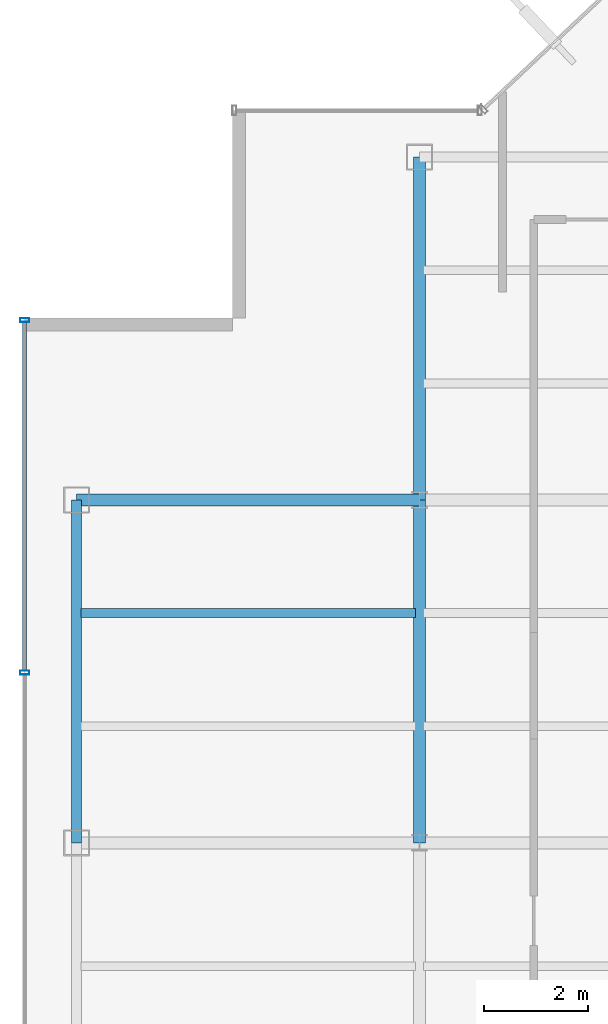
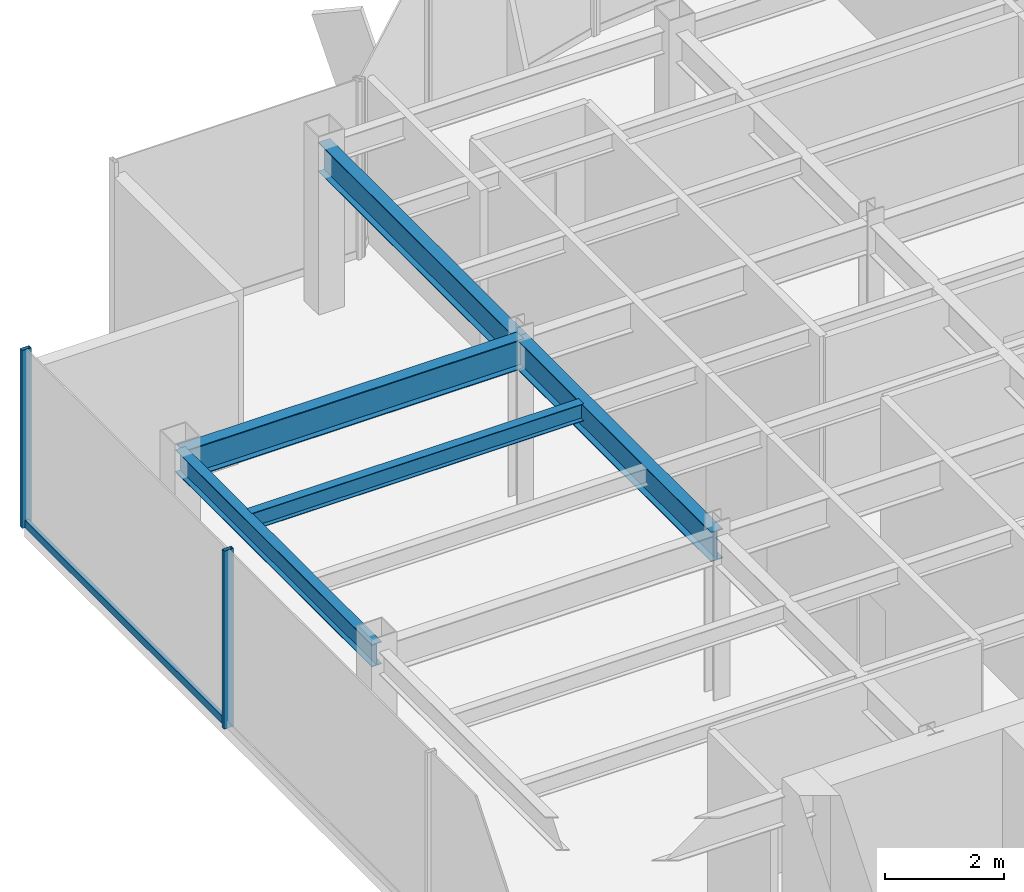
# One storey, part 7 of 22: 5 beams, 3 members, 1 element without a shape of its own.
"""IFC4 building model written with IfcOpenShell, lengths in metres."""

from ifc_helpers import new_model, si_unit, derived_unit, direction, frame, origin, origin_2d, place, context, subcontext, project, spatial, hollow_rectangle, i_section, extrude, source, transform, mapped, material, material_profile, profile_set, type_object, element, aggregate, save


model = new_model("IFC4")

# Units and contexts
model_context = context("Model", 3, precision=1e-05, world=origin(), true_north=direction((0.0, 1.0)))
body_context = subcontext(model_context, "Body", "Model", "MODEL_VIEW")
ifc_project = project(units=[si_unit("LENGTHUNIT", "METRE"), si_unit("AREAUNIT", "SQUARE_METRE"), si_unit("VOLUMEUNIT", "CUBIC_METRE"), si_unit("PLANEANGLEUNIT", "RADIAN"), si_unit("MASSUNIT", "GRAM", prefix="KILO"), derived_unit("THERMALTRANSMITTANCEUNIT", [(si_unit("POWERUNIT", "WATT"), 1), (si_unit("LENGTHUNIT", "METRE"), -2), (si_unit("THERMODYNAMICTEMPERATUREUNIT", "KELVIN"), -1)])], contexts=[model_context])

# Site, building, storey
site_placement = place(None, origin())
site = spatial("IfcSite", under=ifc_project, at=site_placement, CompositionType="ELEMENT")
building_placement = place(site_placement, origin())
building = spatial("IfcBuilding", under=site, at=building_placement, Name="Skarnbrae Concourse Arena and Tower", CompositionType="ELEMENT")
storey_placement = place(building_placement, frame((0.0, 0.0, 232.39990234375)))
storey = spatial("IfcBuildingStorey", under=building, at=storey_placement, Name="L60", CompositionType="ELEMENT", Elevation=232.39990234375)

# Beams
ifc_material_1 = material(Name="Steel CSA G40.21 350W", Category="steel")
ifc_material_profile_1 = material_profile(ifc_material_1, i_section(OverallWidth=0.22802734375, OverallDepth=0.60791015625, WebThickness=0.01123046875, FlangeThickness=0.017333984375, at=origin_2d()), Name="W610X113")
ifc_profile_set_1 = profile_set([ifc_material_profile_1], Name="Steel CSA G40.21 350W")
beam_type_1 = type_object("IfcBeamType", Name="BM-GIRD-W610X113", PredefinedType="BEAM", material=ifc_profile_set_1)
shared_shape_1 = source(origin(), body_context, "Body", "SweptSolid", [
    extrude(i_section(OverallWidth=0.22802734375, OverallDepth=0.60791015625, WebThickness=0.01123046875, FlangeThickness=0.017333984375, at=origin_2d()), origin(), (0.0, 0.0, 1.0), 6.60009765625),
])
for number, where, z_axis, x_axis, name in (
    (1, (1.0, 27.800048828125, 3.046142578125), (1.0, 0.0, 0.0), (0.0, 1.0, 0.0), "L60 Primary E-W girder Y27.8-1"),
    (2, (7.60009765625, 21.199951171875, 3.046142578125), (0.0, 1.0, 0.0), (-1.0, 0.0, 0.0), "L60 Primary N-S girder X7.6-2"),
):
    element("IfcBeam", number, at=place(storey_placement, frame(where, z_axis=z_axis, x_axis=x_axis)), inside=storey, type_object=beam_type_1, Name=name, PredefinedType="BEAM", context=body_context, shape_type="MappedRepresentation", body=[
        mapped(shared_shape_1, transform((0.0, 0.0, 0.0))),
    ])
ifc_material_profile_2 = material_profile(ifc_material_1, i_section(OverallWidth=0.19091796875, OverallDepth=0.4599609375, WebThickness=0.010009765625, FlangeThickness=0.01611328125, at=origin_2d()), Name="W460X82")
ifc_profile_set_2 = profile_set([ifc_material_profile_2], Name="Steel CSA G40.21 350W")
beam_type_2 = type_object("IfcBeamType", Name="BM-SPAN-W460X82", PredefinedType="SPANDREL", material=ifc_profile_set_2)
shared_shape_2 = source(origin(), body_context, "Body", "SweptSolid", [
    extrude(i_section(OverallWidth=0.19091796875, OverallDepth=0.4599609375, WebThickness=0.010009765625, FlangeThickness=0.01611328125, at=origin_2d()), origin(), (0.0, 0.0, 1.0), 6.60009765625),
])
beam_1_placement = place(storey_placement, frame((1.0, 21.199951171875, 3.1201171875), z_axis=(0.0, 1.0, 0.0), x_axis=(-1.0, 0.0, 0.0)))
element("IfcBeam", 3, at=beam_1_placement, inside=storey, type_object=beam_type_2, Name="L60 Perimeter spandrel X1.0-3", PredefinedType="SPANDREL", context=body_context, shape_type="MappedRepresentation", body=[
    mapped(shared_shape_2, transform((0.0, 0.0, 0.0))),
])
shared_shape_3 = source(origin(), body_context, "Body", "SweptSolid", [
    extrude(i_section(OverallWidth=0.22802734375, OverallDepth=0.60791015625, WebThickness=0.01123046875, FlangeThickness=0.017333984375, at=origin_2d()), origin(), (0.0, 0.0, 1.0), 6.599853515625),
])
beam_2_placement = place(storey_placement, frame((7.60009765625, 27.800048828125, 3.046142578125), z_axis=(0.0, 1.0, 0.0), x_axis=(-1.0, 0.0, 0.0)))
element("IfcBeam", 4, at=beam_2_placement, inside=storey, type_object=beam_type_1, Name="L60 Primary N-S girder X7.6-3", PredefinedType="BEAM", context=body_context, shape_type="MappedRepresentation", body=[
    mapped(shared_shape_3, transform((0.0, 0.0, 0.0))),
])
ifc_material_profile_3 = material_profile(ifc_material_1, i_section(OverallWidth=0.1708984375, OverallDepth=0.35498046875, WebThickness=0.007080078125, FlangeThickness=0.01171875, at=origin_2d()), Name="W360X51")
ifc_profile_set_3 = profile_set([ifc_material_profile_3], Name="Steel CSA G40.21 350W")
beam_type_3 = type_object("IfcBeamType", Name="BM-JOIST-W360X51", PredefinedType="JOIST", material=ifc_profile_set_3)
shared_shape_4 = source(origin(), body_context, "Body", "SweptSolid", [
    extrude(i_section(OverallWidth=0.1708984375, OverallDepth=0.35498046875, WebThickness=0.007080078125, FlangeThickness=0.01171875, at=origin_2d()), origin(), (0.0, 0.0, 1.0), 6.43994140625),
])
beam_3_placement = place(storey_placement, frame((1.080078125, 25.6220703125, 3.172607421875), z_axis=(1.0, 0.0, 0.0), x_axis=(0.0, 1.0, 0.0)))
element("IfcBeam", 5, at=beam_3_placement, inside=storey, type_object=beam_type_3, Name="L60 Secondary floor joist 2.2.1", PredefinedType="JOIST", context=body_context, shape_type="MappedRepresentation", body=[
    mapped(shared_shape_4, transform((0.0, 0.0, 0.0))),
])

# Curtain wall, members
ifc_material_2 = material(Name="Bronze anodised aluminium 6063-T6", Category="aluminium")
curtain_wall_type = type_object("IfcCurtainWallType", Name="CW-SYS-05-HIGHZONE", PredefinedType="USERDEFINED", material=ifc_material_2)
curtain_wall_placement = place(storey_placement, origin())
curtain_wall = element("IfcCurtainWall", 6, at=curtain_wall_placement, inside=storey, type_object=curtain_wall_type, Name="L60 Unitised curtain wall CW-L60-E18", ObjectType="UNITISED CURTAIN WALL", PredefinedType="USERDEFINED")
ifc_material_profile_4 = material_profile(ifc_material_2, hollow_rectangle(XDim=0.074951171875, YDim=0.14990234375, WallThickness=0.00390625, at=origin_2d()), Name="ALU-TRAN-75X150")
ifc_profile_set_4 = profile_set([ifc_material_profile_4], Name="Bronze anodised aluminium 6063-T6")
member_type_1 = type_object("IfcMemberType", Name="CWT-CW-05", PredefinedType="USERDEFINED", material=ifc_profile_set_4)
shared_shape_5 = source(origin(), body_context, "Body", "SweptSolid", [
    extrude(hollow_rectangle(XDim=0.074951171875, YDim=0.14990234375, WallThickness=0.00390625, at=origin_2d()), origin(), (0.0, 0.0, 1.0), 6.712646484375),
])
member_1_placement = place(storey_placement, frame((0.0, 31.22509765625, 0.0751953125), z_axis=(0.0, -1.0, 0.0), x_axis=(1.0, 0.0, 0.0)))
member_1 = element("IfcMember", 7, at=member_1_placement, type_object=member_type_1, Name="CW-L60-E18 Transom 1", ObjectType="TRANSOM", PredefinedType="USERDEFINED", context=body_context, shape_type="MappedRepresentation", body=[
    mapped(shared_shape_5, transform((0.0, 0.0, 0.0))),
])
ifc_material_profile_5 = material_profile(ifc_material_2, hollow_rectangle(XDim=0.074951171875, YDim=0.179931640625, WallThickness=0.00390625, at=origin_2d()), Name="ALU-MULL-75X180")
ifc_profile_set_5 = profile_set([ifc_material_profile_5], Name="Bronze anodised aluminium 6063-T6")
member_type_2 = type_object("IfcMemberType", Name="CWM-CW-05", PredefinedType="MULLION", material=ifc_profile_set_5)
shared_shape_6 = source(origin(), body_context, "Body", "SweptSolid", [
    extrude(hollow_rectangle(XDim=0.074951171875, YDim=0.179931640625, WallThickness=0.00390625, at=origin_2d()), origin(), (0.0, 0.0, 1.0), 3.650146484375),
])
member_2_placement = place(storey_placement, frame((0.0, 31.262451171875, 0.0), z_axis=(0.0, 0.0, 1.0), x_axis=(0.0, -1.0, 0.0)))
member_2 = element("IfcMember", 8, at=member_2_placement, type_object=member_type_2, Name="CW-L60-E18 Mullion 1", PredefinedType="MULLION", context=body_context, shape_type="MappedRepresentation", body=[
    mapped(shared_shape_6, transform((0.0, 0.0, 0.0))),
])
member_3_placement = place(storey_placement, frame((0.0, 24.47509765625, 0.0), z_axis=(0.0, 0.0, 1.0), x_axis=(0.0, -1.0, 0.0)))
member_3 = element("IfcMember", 9, at=member_3_placement, type_object=member_type_2, Name="CW-L60-E18 Mullion 2", PredefinedType="MULLION", context=body_context, shape_type="MappedRepresentation", body=[
    mapped(shared_shape_6, transform((0.0, 0.0, 0.0))),
])
aggregate(curtain_wall, [member_2, member_3, member_1])

save(model, "model.ifc")
